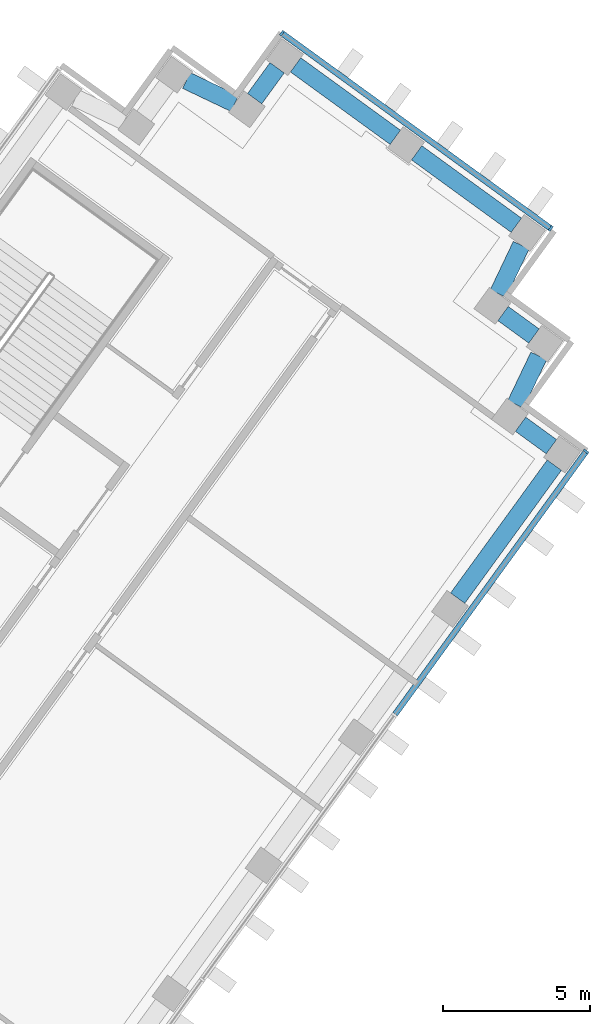
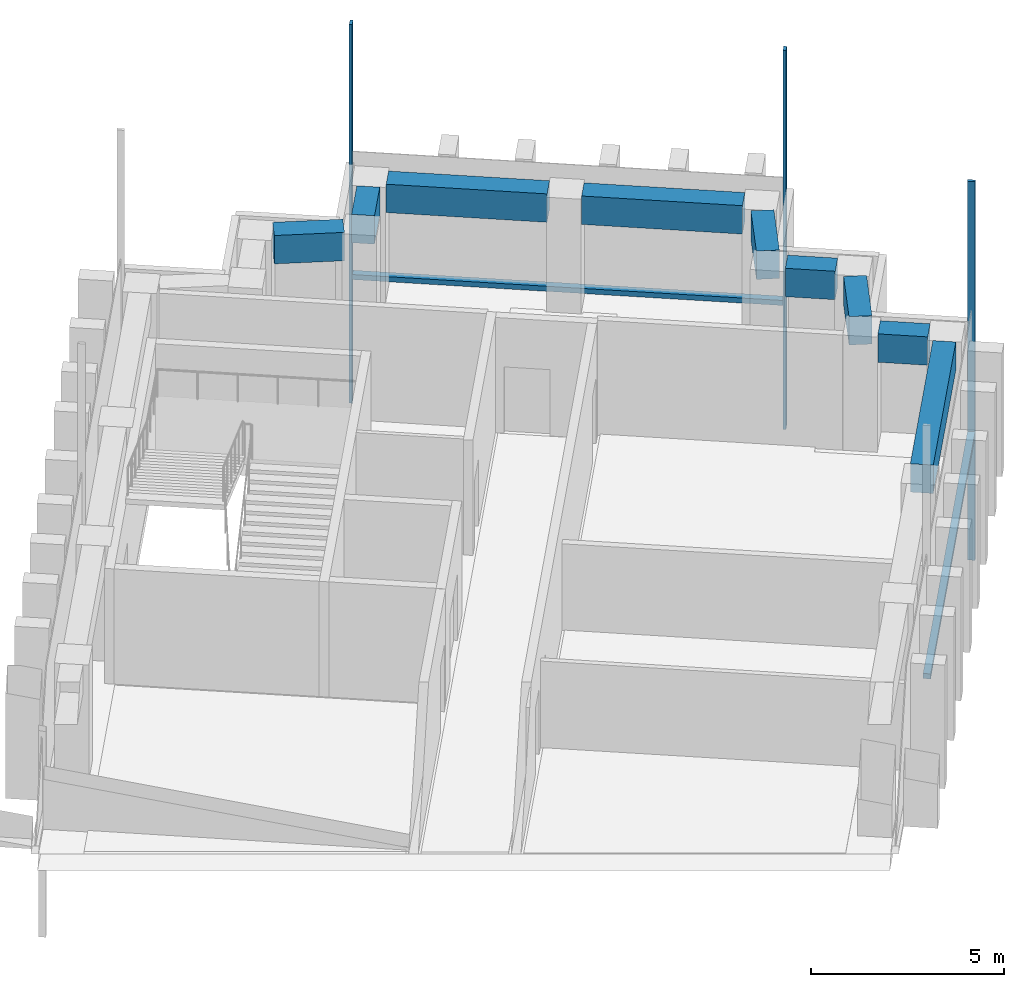
# One storey, part 7 of 19: 9 beams, 5 members, 2 elements without a shape of their own.
"""IFC4 building model written with IfcOpenShell, lengths in metres."""

from ifc_helpers import new_model, si_unit, direction, frame, origin, origin_2d, place, context, subcontext, project, spatial, rectangle, extrude, material, material_profile, profile_set, type_object, element, aggregate, save


model = new_model("IFC4")

# Units and contexts
model_context = context("Model", 3, precision=1e-05, world=origin(), true_north=direction((0.0, 1.0)))
body_context = subcontext(model_context, "Body", "Model", "MODEL_VIEW")
ifc_project = project(units=[si_unit("LENGTHUNIT", "METRE"), si_unit("AREAUNIT", "SQUARE_METRE"), si_unit("VOLUMEUNIT", "CUBIC_METRE"), si_unit("PLANEANGLEUNIT", "RADIAN"), si_unit("MASSUNIT", "GRAM", prefix="KILO")], contexts=[model_context])

# Site, building, storey
site_placement = place(None, origin())
site = spatial("IfcSite", under=ifc_project, at=site_placement, CompositionType="ELEMENT")
building_placement = place(site_placement, origin())
building = spatial("IfcBuilding", under=site, at=building_placement, Name="Quipu Civic Tower", CompositionType="ELEMENT")
storey_placement = place(building_placement, frame((0.0, 0.0, 47.0)))
storey = spatial("IfcBuildingStorey", under=building, at=storey_placement, Name="L10", CompositionType="ELEMENT", Elevation=47.0)

# Curtain wall, member
ifc_material_1 = material(Name="Insulated glass unit", Category="glass")
curtain_wall_type = type_object("IfcCurtainWallType", Name="Office curtain wall CW1", PredefinedType="NOTDEFINED", material=ifc_material_1)
curtain_wall_1_placement = place(storey_placement, origin())
curtain_wall_1 = element("IfcCurtainWall", 1, at=curtain_wall_1_placement, inside=storey, type_object=curtain_wall_type, Name="Office curtain wall CW1 L09 run 19", PredefinedType="NOTDEFINED")
ifc_material_2 = material(Name="Anodised aluminium", Category="aluminium")
ifc_material_profile_1 = material_profile(ifc_material_2, rectangle(XDim=0.199951171875, YDim=0.080078125, at=origin_2d()), Name="RECT 200x80")
ifc_profile_set_1 = profile_set([ifc_material_profile_1], Name="Anodised aluminium")
member_type_1 = type_object("IfcMemberType", Name="Mullion CW1", PredefinedType="MULLION", material=ifc_profile_set_1)
member_1_placement = place(storey_placement, frame((55.23046875, 29.606201171875, -3.919921875), z_axis=(0.0, 0.0, 1.0), x_axis=(-0.809016770908, 0.587785559869, 0.0)))
member_1 = element("IfcMember", 2, at=member_1_placement, type_object=member_type_1, Name="CW1 mullion 5", PredefinedType="MULLION", context=body_context, shape_type="SweptSolid", body=[
    extrude(rectangle(XDim=0.199951171875, YDim=0.080078125, at=origin_2d()), origin(), (0.0, 0.0, 1.0), 12.0),
])

# Curtain wall, members
curtain_wall_2_placement = place(storey_placement, origin())
curtain_wall_2 = element("IfcCurtainWall", 3, at=curtain_wall_2_placement, inside=storey, type_object=curtain_wall_type, Name="Office curtain wall CW1 L09 run 24", PredefinedType="NOTDEFINED")
member_2_placement = place(storey_placement, frame((54.027099609375, 37.204833984375, -3.919921875), z_axis=(0.0, 0.0, 1.0), x_axis=(-0.587782012621, -0.809019348124, 0.0)))
member_2 = element("IfcMember", 4, at=member_2_placement, type_object=member_type_1, Name="CW1 mullion 1", PredefinedType="MULLION", context=body_context, shape_type="SweptSolid", body=[
    extrude(rectangle(XDim=0.199951171875, YDim=0.080078125, at=origin_2d()), origin(), (0.0, 0.0, 1.0), 12.0),
])
member_3_placement = place(storey_placement, frame((44.869140625, 43.858642578125, -3.919921875), z_axis=(0.0, 0.0, 1.0), x_axis=(-0.587782012621, -0.809019348124, 0.0)))
member_3 = element("IfcMember", 5, at=member_3_placement, type_object=member_type_1, Name="CW1 mullion 2", PredefinedType="MULLION", context=body_context, shape_type="SweptSolid", body=[
    extrude(rectangle(XDim=0.199951171875, YDim=0.080078125, at=origin_2d()), origin(), (0.0, 0.0, 1.0), 12.0),
])

# Beams
ifc_material_3 = material(Name="Concrete C50/60", Category="concrete")
ifc_material_profile_2 = material_profile(ifc_material_3, rectangle(XDim=0.60009765625, YDim=0.89990234375, at=origin_2d()), Name="RC600x900")
ifc_profile_set_2 = profile_set([ifc_material_profile_2], Name="Concrete C50/60")
beam_type = type_object("IfcBeamType", Name="Spandrel beam RC 600x900 C50/60", PredefinedType="SPANDREL", material=ifc_profile_set_2)
beam_1_placement = place(storey_placement, frame((50.85693359375, 24.607666015625, 3.199951171875), z_axis=(0.587772657145, 0.809026145135, 0.0), x_axis=(-0.809026145135, 0.587772657145, 0.0)))
element("IfcBeam", 6, at=beam_1_placement, inside=storey, type_object=beam_type, Name="Spandrel beam L10 E-OUT-07 to T-Eo.0-E50", PredefinedType="SPANDREL", context=body_context, shape_type="SweptSolid", body=[
    extrude(rectangle(XDim=0.60009765625, YDim=0.89990234375, at=origin_2d()), origin(), (0.0, 0.0, 1.0), 5.603271484375),
])
beam_2_placement = place(storey_placement, frame((54.051025390625, 29.769775390625, 3.199951171875), z_axis=(-0.808549242423, 0.588428519514, 0.0), x_axis=(-0.588428519514, -0.808549242423, 0.0)))
element("IfcBeam", 7, at=beam_2_placement, inside=storey, type_object=beam_type, Name="Spandrel beam L10 T-Eo.0-E50 to T-Eo.1-E50", PredefinedType="SPANDREL", context=body_context, shape_type="SweptSolid", body=[
    extrude(rectangle(XDim=0.60009765625, YDim=0.89990234375, at=origin_2d()), origin(), (0.0, 0.0, 1.0), 1.2998046875),
])
beam_3_placement = place(storey_placement, frame((52.83349609375, 31.21240234375, 3.199951171875), z_axis=(0.431446050156, 0.902138739776, 0.0), x_axis=(-0.902138739776, 0.431446050156, 0.0)))
element("IfcBeam", 8, at=beam_3_placement, inside=storey, type_object=beam_type, Name="Spandrel beam L10 T-Eo.1-E50 to T-Eo.2-E50", PredefinedType="SPANDREL", context=body_context, shape_type="SweptSolid", body=[
    extrude(rectangle(XDim=0.60009765625, YDim=0.89990234375, at=origin_2d()), origin(), (0.0, 0.0, 1.0), 1.828857421875),
])
beam_4_placement = place(storey_placement, frame((53.4560546875, 33.539794921875, 3.199951171875), z_axis=(-0.808509099783, 0.588483674853, 0.0), x_axis=(-0.588483674853, -0.808509099783, 0.0)))
element("IfcBeam", 9, at=beam_4_placement, inside=storey, type_object=beam_type, Name="Spandrel beam L10 T-Eo.2-E50 to T-Eo.3-E50", PredefinedType="SPANDREL", context=body_context, shape_type="SweptSolid", body=[
    extrude(rectangle(XDim=0.60009765625, YDim=0.89990234375, at=origin_2d()), origin(), (0.0, 0.0, 1.0), 1.302734375),
])
beam_5_placement = place(storey_placement, frame((52.23583984375, 34.984375, 3.199951171875), z_axis=(0.430166558323, 0.902749540072, 0.0), x_axis=(-0.902749540072, 0.430166558323, 0.0)))
element("IfcBeam", 10, at=beam_5_placement, inside=storey, type_object=beam_type, Name="Spandrel beam L10 T-Eo.3-E50 to T-Eo.4-E50", PredefinedType="SPANDREL", context=body_context, shape_type="SweptSolid", body=[
    extrude(rectangle(XDim=0.60009765625, YDim=0.89990234375, at=origin_2d()), origin(), (0.0, 0.0, 1.0), 1.830322265625),
])
beam_6_placement = place(storey_placement, frame((52.85595703125, 37.314453125, 3.199951171875), z_axis=(-0.808959834407, 0.587863918196, 0.0), x_axis=(-0.587863918196, -0.808959834407, 0.0)))
element("IfcBeam", 11, at=beam_6_placement, inside=storey, type_object=beam_type, Name="Spandrel beam L10 T-Eo.4-E50 to TIP-E-01-E50", PredefinedType="SPANDREL", context=body_context, shape_type="SweptSolid", body=[
    extrude(rectangle(XDim=0.60009765625, YDim=0.89990234375, at=origin_2d()), origin(), (0.0, 0.0, 1.0), 4.1982421875),
])
beam_7_placement = place(storey_placement, frame((48.731689453125, 40.3115234375, 3.199951171875), z_axis=(-0.808969789945, 0.58785021813, 0.0), x_axis=(-0.58785021813, -0.808969789945, 0.0)))
element("IfcBeam", 12, at=beam_7_placement, inside=storey, type_object=beam_type, Name="Spandrel beam L10 TIP-E-01-E50 to T-Ei.0-E50", PredefinedType="SPANDREL", context=body_context, shape_type="SweptSolid", body=[
    extrude(rectangle(XDim=0.60009765625, YDim=0.89990234375, at=origin_2d()), origin(), (0.0, 0.0, 1.0), 4.199951171875),
])
beam_8_placement = place(storey_placement, frame((44.705322265625, 42.68115234375, 3.199951171875), z_axis=(-0.588383572423, -0.808581951136, 0.0), x_axis=(0.808581951136, -0.588383572423, 0.0)))
element("IfcBeam", 13, at=beam_8_placement, inside=storey, type_object=beam_type, Name="Spandrel beam L10 T-Ei.0-E50 to T-Ei.1-E50", PredefinedType="SPANDREL", context=body_context, shape_type="SweptSolid", body=[
    extrude(rectangle(XDim=0.60009765625, YDim=0.89990234375, at=origin_2d()), origin(), (0.0, 0.0, 1.0), 1.3017578125),
])
beam_9_placement = place(storey_placement, frame((43.261474609375, 41.4619140625, 3.199951171875), z_axis=(-0.902613270121, 0.430452418511, 0.0), x_axis=(-0.430452418511, -0.902613270121, 0.0)))
element("IfcBeam", 14, at=beam_9_placement, inside=storey, type_object=beam_type, Name="Spandrel beam L10 T-Ei.1-E50 to T-Ei.2-E50", PredefinedType="SPANDREL", context=body_context, shape_type="SweptSolid", body=[
    extrude(rectangle(XDim=0.60009765625, YDim=0.89990234375, at=origin_2d()), origin(), (0.0, 0.0, 1.0), 1.826416015625),
])

# Member
ifc_material_4 = material(Name="Anodised aluminium", Category="aluminium")
ifc_material_profile_3 = material_profile(ifc_material_4, rectangle(XDim=0.199951171875, YDim=0.159912109375, at=origin_2d()), Name="RECT 200x160")
ifc_profile_set_3 = profile_set([ifc_material_profile_3], Name="Anodised aluminium")
member_type_2 = type_object("IfcMemberType", Name="Transom CW1", PredefinedType="USERDEFINED", material=ifc_profile_set_3)
member_4_placement = place(storey_placement, frame((48.72802734375, 20.65625, 0.080078125), z_axis=(0.587779179422, 0.809021406539, 0.0), x_axis=(-0.809021406539, 0.587779179422, 0.0)))
member_4 = element("IfcMember", 15, at=member_4_placement, type_object=member_type_2, Name="CW1 transom 4.2", ObjectType="TRANSOM", PredefinedType="USERDEFINED", context=body_context, shape_type="SweptSolid", body=[
    extrude(rectangle(XDim=0.199951171875, YDim=0.159912109375, at=origin_2d()), origin(), (0.0, 0.0, 1.0), 11.02294921875),
])

aggregate(curtain_wall_1, [member_1, member_4])

member_5_placement = place(storey_placement, frame((53.994873046875, 37.228515625, 0.080078125), z_axis=(-0.809032792449, 0.587763507495, 0.0), x_axis=(-0.587763507495, -0.809032792449, 0.0)))
member_5 = element("IfcMember", 16, at=member_5_placement, type_object=member_type_2, Name="CW1 transom 1.2", ObjectType="TRANSOM", PredefinedType="USERDEFINED", context=body_context, shape_type="SweptSolid", body=[
    extrude(rectangle(XDim=0.199951171875, YDim=0.159912109375, at=origin_2d()), origin(), (0.0, 0.0, 1.0), 11.239990234375),
])

aggregate(curtain_wall_2, [member_2, member_3, member_5])

save(model, "model.ifc")
